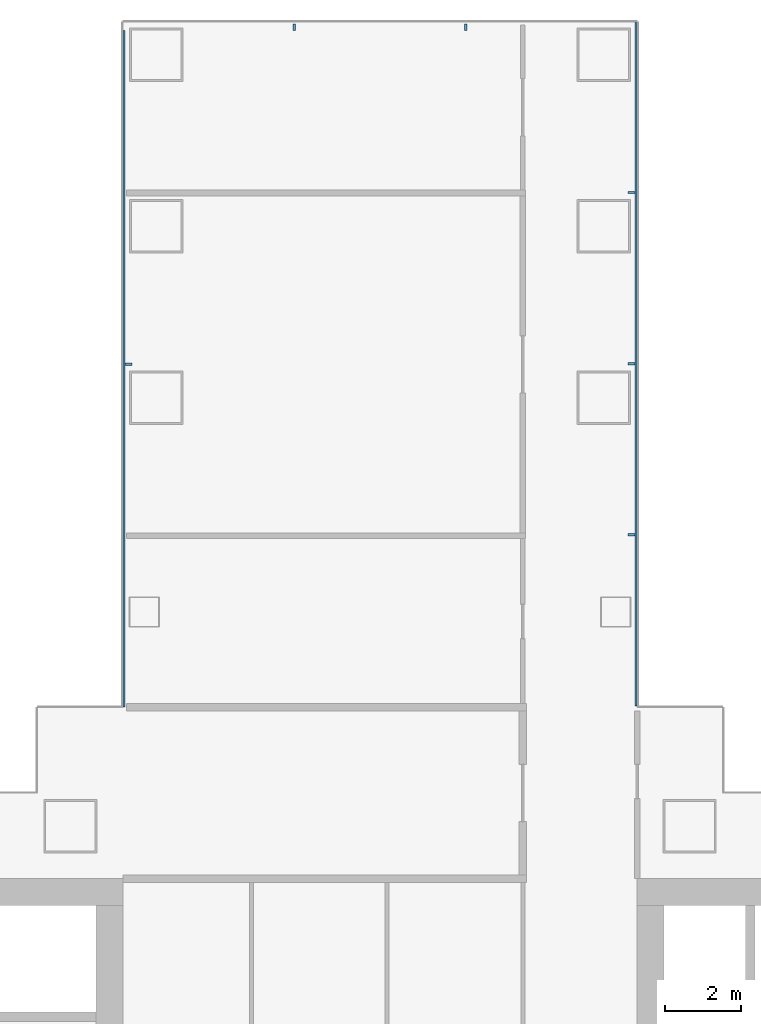
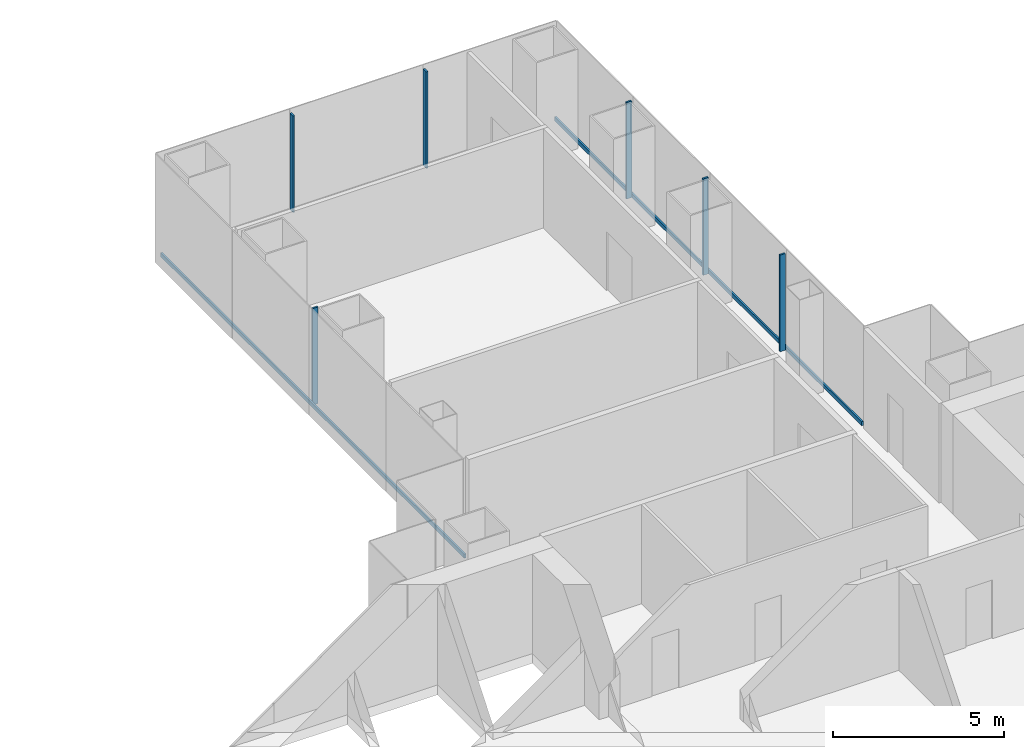
# One storey, part 9 of 21: 8 members, 3 elements without a shape of their own.
"""IFC4 building model written with IfcOpenShell, lengths in metres."""

from ifc_helpers import new_model, si_unit, direction, frame, origin, origin_2d, place, context, subcontext, project, spatial, rectangle, extrude, material, layer, layer_set, material_profile, profile_set, type_object, element, aggregate, save


model = new_model("IFC4")

# Units and contexts
model_context = context("Model", 3, precision=1e-05, world=origin(), true_north=direction((0.0, 1.0)))
body_context = subcontext(model_context, "Body", "Model", "MODEL_VIEW")
ifc_project = project(units=[si_unit("LENGTHUNIT", "METRE"), si_unit("AREAUNIT", "SQUARE_METRE"), si_unit("VOLUMEUNIT", "CUBIC_METRE"), si_unit("PLANEANGLEUNIT", "RADIAN"), si_unit("MASSUNIT", "GRAM", prefix="KILO")], contexts=[model_context])

# Site, building, storey
site_placement = place(None, origin())
site = spatial("IfcSite", under=ifc_project, at=site_placement, CompositionType="ELEMENT")
building_placement = place(site_placement, origin())
building = spatial("IfcBuilding", under=site, at=building_placement, Name="Shamsa Quay Exchange Towers", CompositionType="ELEMENT")
storey_placement = place(building_placement, frame((0.0, 0.0, 45.89990234375)))
storey = spatial("IfcBuildingStorey", under=building, at=storey_placement, Name="L09", CompositionType="ELEMENT", Elevation=45.89990234375)

# Curtain wall, members
ifc_material = material(Name="Aluminium EN AW-6063 T6, black anodised", Category="aluminium")
ifc_layer = layer(ifc_material, 0.280029296875)
ifc_layer_set = layer_set([ifc_layer], Name="CW-1 UNITISED VISION GLASS")
curtain_wall_type = type_object("IfcCurtainWallType", Name="CW-1 UNITISED VISION GLASS", PredefinedType="NOTDEFINED", material=ifc_layer_set)
curtain_wall_1_placement = place(storey_placement, origin())
curtain_wall_1 = element("IfcCurtainWall", 1, at=curtain_wall_1_placement, inside=storey, type_object=curtain_wall_type, Name="CW1 T2-FLK-U+S L09", PredefinedType="NOTDEFINED")
ifc_material_profile_1 = material_profile(ifc_material, rectangle(XDim=0.179931640625, YDim=0.06005859375, at=origin_2d()), Name="MU60x180")
ifc_profile_set_1 = profile_set([ifc_material_profile_1], Name="Aluminium EN AW-6063 T6, black anodised")
member_type_1 = type_object("IfcMemberType", Name="CW1 MULLION 60x180", PredefinedType="MULLION", material=ifc_profile_set_1)
member_1_placement = place(storey_placement, frame((40.35009765625, 15.778564453125, 0.0), z_axis=(0.0, 0.0, 1.0), x_axis=(-1.0, 0.0, 0.0)))
member_1 = element("IfcMember", 2, at=member_1_placement, type_object=member_type_1, Name="CW1 mullion", PredefinedType="MULLION", context=body_context, shape_type="SweptSolid", body=[
    extrude(rectangle(XDim=0.179931640625, YDim=0.06005859375, at=origin_2d()), origin(), (0.0, 0.0, 1.0), 3.4501953125),
])
member_2_placement = place(storey_placement, frame((40.35009765625, 20.26904296875, 0.0), z_axis=(0.0, 0.0, 1.0), x_axis=(-1.0, 0.0, 0.0)))
member_2 = element("IfcMember", 3, at=member_2_placement, type_object=member_type_1, Name="CW1 mullion", PredefinedType="MULLION", context=body_context, shape_type="SweptSolid", body=[
    extrude(rectangle(XDim=0.179931640625, YDim=0.06005859375, at=origin_2d()), origin(), (0.0, 0.0, 1.0), 3.4501953125),
])
member_3_placement = place(storey_placement, frame((40.35009765625, 24.759521484375, 0.0), z_axis=(0.0, 0.0, 1.0), x_axis=(-1.0, 0.0, 0.0)))
member_3 = element("IfcMember", 4, at=member_3_placement, type_object=member_type_1, Name="CW1 mullion", PredefinedType="MULLION", context=body_context, shape_type="SweptSolid", body=[
    extrude(rectangle(XDim=0.179931640625, YDim=0.06005859375, at=origin_2d()), origin(), (0.0, 0.0, 1.0), 3.4501953125),
])

curtain_wall_2_placement = place(storey_placement, origin())
curtain_wall_2 = element("IfcCurtainWall", 5, at=curtain_wall_2_placement, inside=storey, type_object=curtain_wall_type, Name="CW1 T2-END-U+ L09", PredefinedType="NOTDEFINED")
member_4_placement = place(storey_placement, frame((36.0, 29.10009765625, 0.0), z_axis=(0.0, 0.0, 1.0), x_axis=(0.0, -1.0, 0.0)))
member_4 = element("IfcMember", 6, at=member_4_placement, type_object=member_type_1, Name="CW1 mullion", PredefinedType="MULLION", context=body_context, shape_type="SweptSolid", body=[
    extrude(rectangle(XDim=0.179931640625, YDim=0.06005859375, at=origin_2d()), origin(), (0.0, 0.0, 1.0), 3.4501953125),
])
member_5_placement = place(storey_placement, frame((31.5, 29.10009765625, 0.0), z_axis=(0.0, 0.0, 1.0), x_axis=(0.0, -1.0, 0.0)))
member_5 = element("IfcMember", 7, at=member_5_placement, type_object=member_type_1, Name="CW1 mullion", PredefinedType="MULLION", context=body_context, shape_type="SweptSolid", body=[
    extrude(rectangle(XDim=0.179931640625, YDim=0.06005859375, at=origin_2d()), origin(), (0.0, 0.0, 1.0), 3.4501953125),
])
aggregate(curtain_wall_2, [member_4, member_5])

# Curtain wall, member
curtain_wall_3_placement = place(storey_placement, origin())
curtain_wall_3 = element("IfcCurtainWall", 8, at=curtain_wall_3_placement, inside=storey, type_object=curtain_wall_type, Name="CW1 T2-FLK-U+N L09", PredefinedType="NOTDEFINED")
member_6_placement = place(storey_placement, frame((27.14990234375, 20.25, 0.0)))
member_6 = element("IfcMember", 9, at=member_6_placement, type_object=member_type_1, Name="CW1 mullion", PredefinedType="MULLION", context=body_context, shape_type="SweptSolid", body=[
    extrude(rectangle(XDim=0.179931640625, YDim=0.06005859375, at=origin_2d()), origin(), (0.0, 0.0, 1.0), 3.4501953125),
])

# Member
ifc_material_profile_2 = material_profile(ifc_material, rectangle(XDim=0.06005859375, YDim=0.139892578125, at=origin_2d()), Name="TR140x60")
ifc_profile_set_2 = profile_set([ifc_material_profile_2], Name="Aluminium EN AW-6063 T6, black anodised")
member_type_2 = type_object("IfcMemberType", Name="CW1 TRANSOM 140x60", PredefinedType="USERDEFINED", material=ifc_profile_set_2)
member_7_placement = place(storey_placement, frame((40.469970703125, 11.2880859375, 0.070068359375), z_axis=(0.0, 1.0, 0.0), x_axis=(-1.0, 0.0, 0.0)))
member_7 = element("IfcMember", 10, at=member_7_placement, type_object=member_type_2, Name="CW1 transom", ObjectType="TRANSOM", PredefinedType="USERDEFINED", context=body_context, shape_type="SweptSolid", body=[
    extrude(rectangle(XDim=0.06005859375, YDim=0.139892578125, at=origin_2d()), origin(), (0.0, 0.0, 1.0), 17.9619140625),
])

aggregate(curtain_wall_1, [member_7, member_1, member_2, member_3])

member_8_placement = place(storey_placement, frame((27.030029296875, 29.008056640625, 0.070068359375), z_axis=(0.0, -1.0, 0.0), x_axis=(1.0, 0.0, 0.0)))
member_8 = element("IfcMember", 11, at=member_8_placement, type_object=member_type_2, Name="CW1 transom", ObjectType="TRANSOM", PredefinedType="USERDEFINED", context=body_context, shape_type="SweptSolid", body=[
    extrude(rectangle(XDim=0.06005859375, YDim=0.139892578125, at=origin_2d()), origin(), (0.0, 0.0, 1.0), 17.758056640625),
])

aggregate(curtain_wall_3, [member_8, member_6])

save(model, "model.ifc")
